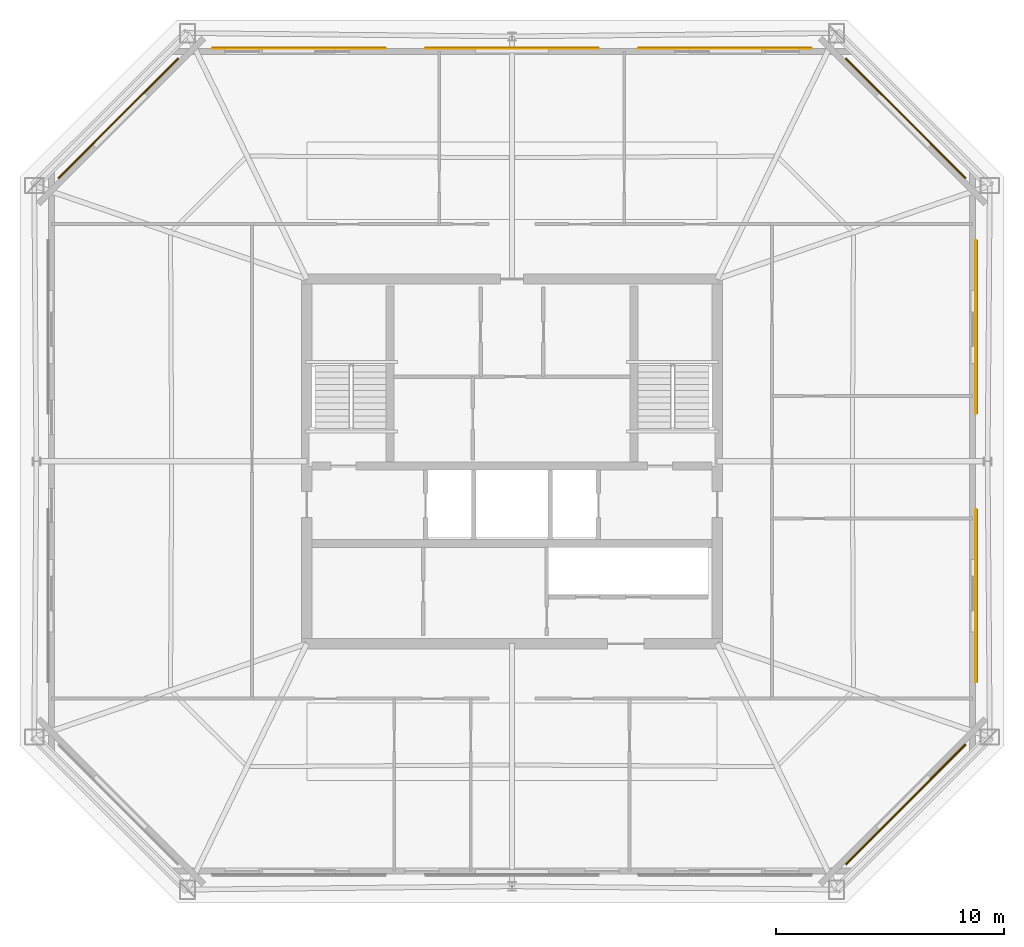
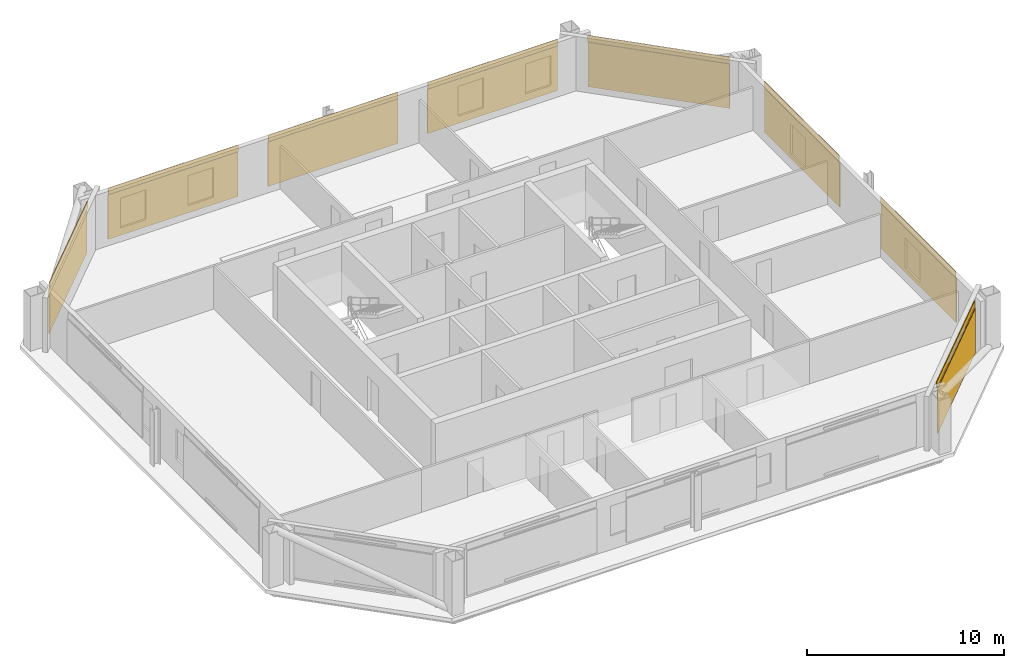
# One storey, part 6 of 6: 8 coverings, 8 shading devices.
"""IFC4 building model written with IfcOpenShell, lengths in metres."""

from ifc_helpers import new_model, si_unit, direction, frame, origin, origin_2d, place, context, subcontext, project, spatial, rectangle, extrude, material, layer, layer_set, type_object, element, save


model = new_model("IFC4")

# Units and contexts
model_context = context("Model", 3, precision=1e-05, world=origin(), true_north=direction((0.0, 1.0)))
body_context = subcontext(model_context, "Body", "Model", "MODEL_VIEW")
ifc_project = project(units=[si_unit("LENGTHUNIT", "METRE"), si_unit("AREAUNIT", "SQUARE_METRE"), si_unit("VOLUMEUNIT", "CUBIC_METRE"), si_unit("PLANEANGLEUNIT", "RADIAN"), si_unit("MASSUNIT", "GRAM", prefix="KILO")], contexts=[model_context])

# Site, building, storey
site_placement = place(None, origin())
site = spatial("IfcSite", under=ifc_project, at=site_placement, CompositionType="ELEMENT")
building_placement = place(site_placement, origin())
building = spatial("IfcBuilding", under=site, at=building_placement, Name="Caelvoria Tower", CompositionType="ELEMENT")
storey_placement = place(building_placement, frame((0.0, 0.0, 209.39990234375)))
storey = spatial("IfcBuildingStorey", under=building, at=storey_placement, Name="L55", CompositionType="ELEMENT", Elevation=209.39990234375)

# Coverings
ifc_material_1 = material(Name="Perforated Architectural Bronze Cladding Screen", Category="bronze")
ifc_layer_1 = layer(ifc_material_1, 0.0400390625, Name="Perforated Architectural Bronze Cladding Screen")
ifc_layer_set_1 = layer_set([ifc_layer_1], Name="Perforated Bronze Louvre Cladding Band 40 - Perforated Architectural Bronze Cladding Screen")
covering_type = type_object("IfcCoveringType", Name="Perforated Bronze Louvre Cladding Band 40", PredefinedType="CLADDING", material=ifc_layer_set_1)
covering_1_placement = place(storey_placement, frame((63.25830078125, 16.964599609375, 2.955078125), z_axis=(0.0, 0.0, 1.0), x_axis=(0.707106781187, 0.707106781187, 0.0)))
element("IfcCovering", 1, at=covering_1_placement, inside=storey, type_object=covering_type, Name="Perforated Bronze Screen Band L55-E1-00", PredefinedType="CLADDING", context=body_context, shape_type="SweptSolid", body=[
    extrude(rectangle(XDim=7.436767578125, YDim=0.0400390625, at=origin_2d()), origin(), (0.0, 0.0, 1.0), 0.39990234375),
])
for number, where, z_axis, x_axis, name in (
    (2, (66.350830078125, 26.102783203125, 2.955078125), (0.0, 0.0, 1.0), (0.0, 1.0, 0.0), "Perforated Bronze Screen Band L55-E2-00"),
    (3, (66.350830078125, 37.897216796875, 2.955078125), (0.0, 0.0, 1.0), (0.0, 1.0, 0.0), "Perforated Bronze Screen Band L55-E2-01"),
):
    element("IfcCovering", number, at=place(storey_placement, frame(where, z_axis=z_axis, x_axis=x_axis)), inside=storey, type_object=covering_type, Name=name, PredefinedType="CLADDING", context=body_context, shape_type="SweptSolid", body=[
        extrude(rectangle(XDim=7.60009765625, YDim=0.0400390625, at=origin_2d()), origin(), (0.0, 0.0, 1.0), 0.39990234375),
    ])
covering_2_placement = place(storey_placement, frame((63.25830078125, 47.035400390625, 2.955078125), z_axis=(0.0, 0.0, 1.0), x_axis=(-0.707106781187, 0.707106781187, 0.0)))
element("IfcCovering", 4, at=covering_2_placement, inside=storey, type_object=covering_type, Name="Perforated Bronze Screen Band L55-E3-00", PredefinedType="CLADDING", context=body_context, shape_type="SweptSolid", body=[
    extrude(rectangle(XDim=7.436767578125, YDim=0.0400390625, at=origin_2d()), origin(), (0.0, 0.0, 1.0), 0.39990234375),
])
for number, where, z_axis, x_axis, name in (
    (5, (55.344970703125, 50.128173828125, 2.955078125), (0.0, 0.0, 1.0), (-1.0, 0.0, 0.0), "Perforated Bronze Screen Band L55-E4-00"),
    (6, (46.0, 50.128173828125, 2.955078125), (0.0, 0.0, 1.0), (-1.0, 0.0, 0.0), "Perforated Bronze Screen Band L55-E4-01"),
    (7, (36.655029296875, 50.128173828125, 2.955078125), (0.0, 0.0, 1.0), (-1.0, 0.0, 0.0), "Perforated Bronze Screen Band L55-E4-02"),
):
    element("IfcCovering", number, at=place(storey_placement, frame(where, z_axis=z_axis, x_axis=x_axis)), inside=storey, type_object=covering_type, Name=name, PredefinedType="CLADDING", context=body_context, shape_type="SweptSolid", body=[
        extrude(rectangle(XDim=7.60009765625, YDim=0.0400390625, at=origin_2d()), origin(), (0.0, 0.0, 1.0), 0.39990234375),
    ])
covering_3_placement = place(storey_placement, frame((28.74169921875, 47.035400390625, 2.955078125), z_axis=(0.0, 0.0, 1.0), x_axis=(-0.707106781187, -0.707106781187, 0.0)))
element("IfcCovering", 8, at=covering_3_placement, inside=storey, type_object=covering_type, Name="Perforated Bronze Screen Band L55-E5-00", PredefinedType="CLADDING", context=body_context, shape_type="SweptSolid", body=[
    extrude(rectangle(XDim=7.436767578125, YDim=0.0400390625, at=origin_2d()), origin(), (0.0, 0.0, 1.0), 0.39990234375),
])

# Shading devices
ifc_material_2 = material(Name="Perforated Architectural Bronze Alloy Panel", Category="bronze")
ifc_layer_2 = layer(ifc_material_2, 0.044921875, Name="Perforated Architectural Bronze Alloy Panel")
ifc_layer_set_2 = layer_set([ifc_layer_2], Name="Perforated Bronze Solar Screen Panel SCREEN - Perforated Architectural Bronze Alloy Panel")
shading_device_type = type_object("IfcShadingDeviceType", Name="Perforated Bronze Solar Screen Panel SCREEN", PredefinedType="USERDEFINED", material=ifc_layer_set_2)
shading_device_1_placement = place(storey_placement, frame((63.28857421875, 16.93408203125, 0.16015625), z_axis=(0.0, 0.0, 1.0), x_axis=(0.707106781187, 0.707106781187, 0.0)))
element("IfcShadingDevice", 9, at=shading_device_1_placement, inside=storey, type_object=shading_device_type, Name="Perforated Bronze Solar Screen L55-E1-00", ObjectType="SCREEN", PredefinedType="USERDEFINED", context=body_context, shape_type="SweptSolid", body=[
    extrude(rectangle(XDim=7.436767578125, YDim=0.044921875, at=origin_2d()), origin(), (0.0, 0.0, 1.0), 2.75),
])
for number, where, z_axis, x_axis, name in (
    (10, (66.393798828125, 26.102783203125, 0.16015625), (0.0, 0.0, 1.0), (0.0, 1.0, 0.0), "Perforated Bronze Solar Screen L55-E2-00"),
    (11, (66.393798828125, 37.897216796875, 0.16015625), (0.0, 0.0, 1.0), (0.0, 1.0, 0.0), "Perforated Bronze Solar Screen L55-E2-01"),
):
    element("IfcShadingDevice", number, at=place(storey_placement, frame(where, z_axis=z_axis, x_axis=x_axis)), inside=storey, type_object=shading_device_type, Name=name, ObjectType="SCREEN", PredefinedType="USERDEFINED", context=body_context, shape_type="SweptSolid", body=[
        extrude(rectangle(XDim=7.60009765625, YDim=0.044921875, at=origin_2d()), origin(), (0.0, 0.0, 1.0), 2.75),
    ])
shading_device_2_placement = place(storey_placement, frame((63.28857421875, 47.06591796875, 0.16015625), z_axis=(0.0, 0.0, 1.0), x_axis=(-0.707106781187, 0.707106781187, 0.0)))
element("IfcShadingDevice", 12, at=shading_device_2_placement, inside=storey, type_object=shading_device_type, Name="Perforated Bronze Solar Screen L55-E3-00", ObjectType="SCREEN", PredefinedType="USERDEFINED", context=body_context, shape_type="SweptSolid", body=[
    extrude(rectangle(XDim=7.436767578125, YDim=0.044921875, at=origin_2d()), origin(), (0.0, 0.0, 1.0), 2.75),
])
for number, where, z_axis, x_axis, name in (
    (13, (55.344970703125, 50.171142578125, 0.16015625), (0.0, 0.0, 1.0), (-1.0, 0.0, 0.0), "Perforated Bronze Solar Screen L55-E4-00"),
    (14, (46.0, 50.171142578125, 0.16015625), (0.0, 0.0, 1.0), (-1.0, 0.0, 0.0), "Perforated Bronze Solar Screen L55-E4-01"),
    (15, (36.655029296875, 50.171142578125, 0.16015625), (0.0, 0.0, 1.0), (-1.0, 0.0, 0.0), "Perforated Bronze Solar Screen L55-E4-02"),
):
    element("IfcShadingDevice", number, at=place(storey_placement, frame(where, z_axis=z_axis, x_axis=x_axis)), inside=storey, type_object=shading_device_type, Name=name, ObjectType="SCREEN", PredefinedType="USERDEFINED", context=body_context, shape_type="SweptSolid", body=[
        extrude(rectangle(XDim=7.60009765625, YDim=0.044921875, at=origin_2d()), origin(), (0.0, 0.0, 1.0), 2.75),
    ])
shading_device_3_placement = place(storey_placement, frame((28.71142578125, 47.06591796875, 0.16015625), z_axis=(0.0, 0.0, 1.0), x_axis=(-0.707106781187, -0.707106781187, 0.0)))
element("IfcShadingDevice", 16, at=shading_device_3_placement, inside=storey, type_object=shading_device_type, Name="Perforated Bronze Solar Screen L55-E5-00", ObjectType="SCREEN", PredefinedType="USERDEFINED", context=body_context, shape_type="SweptSolid", body=[
    extrude(rectangle(XDim=7.436767578125, YDim=0.044921875, at=origin_2d()), origin(), (0.0, 0.0, 1.0), 2.75),
])

save(model, "model.ifc")
